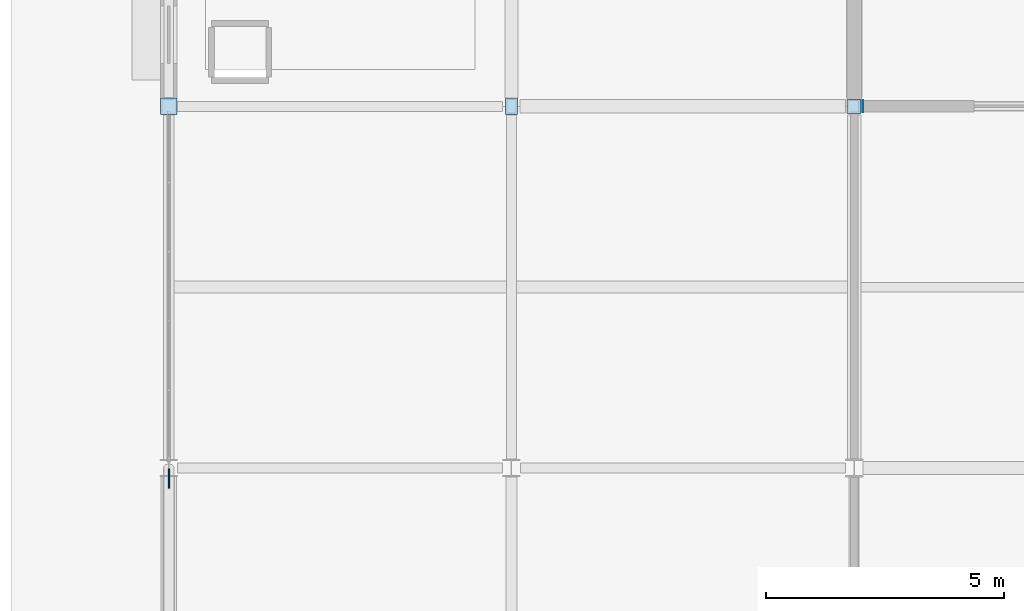
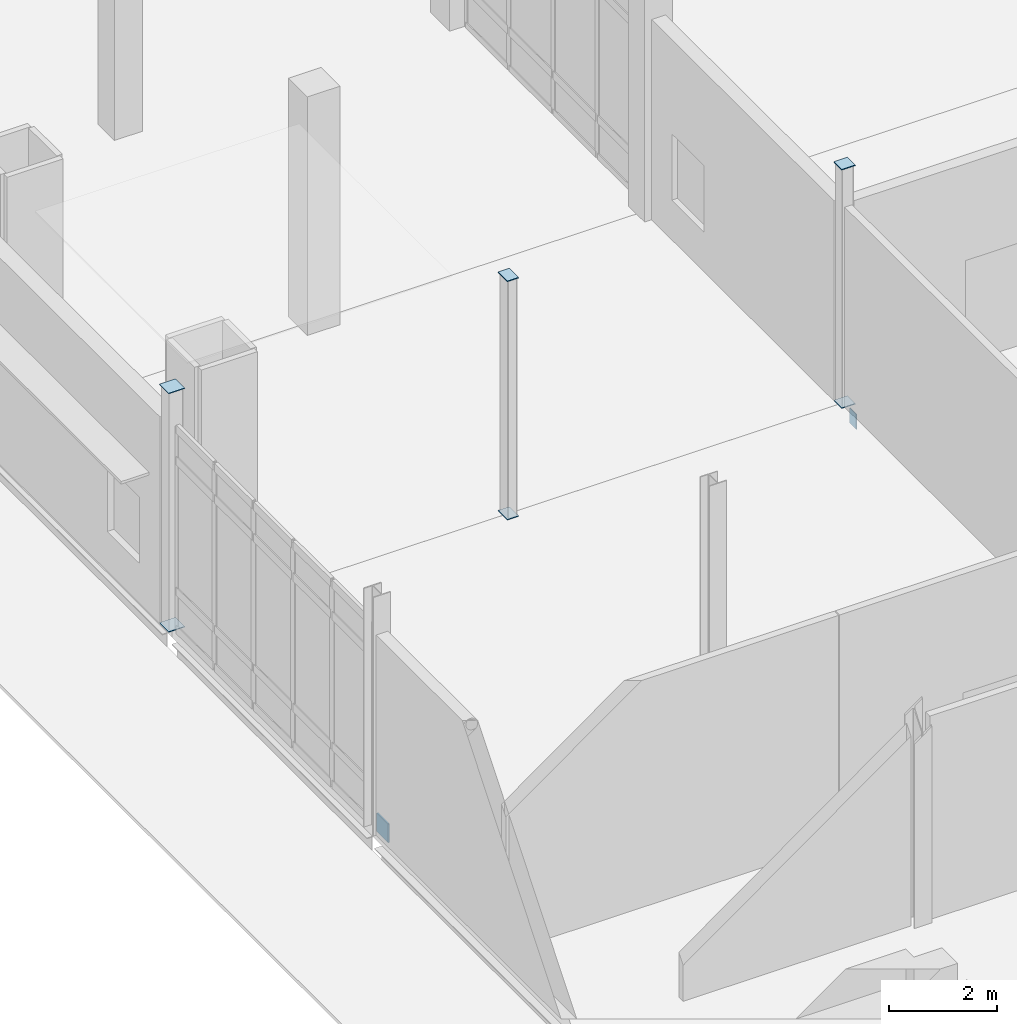
# One storey, part 171 of 229: 8 plates.
"""IFC4 building model written with IfcOpenShell, lengths in metres."""

from ifc_helpers import new_model, si_unit, direction, frame, origin, origin_2d, place, context, subcontext, project, spatial, rectangle, extrude, material, layer, layer_set, type_object, element, save


model = new_model("IFC4")

# Units and contexts
model_context = context("Model", 3, precision=1e-05, world=origin(), true_north=direction((0.0, 1.0)))
body_context = subcontext(model_context, "Body", "Model", "MODEL_VIEW")
ifc_project = project(units=[si_unit("LENGTHUNIT", "METRE"), si_unit("AREAUNIT", "SQUARE_METRE"), si_unit("VOLUMEUNIT", "CUBIC_METRE"), si_unit("PLANEANGLEUNIT", "RADIAN"), si_unit("MASSUNIT", "GRAM", prefix="KILO")], contexts=[model_context])

# Site, building, storey
site_placement = place(None, origin())
site = spatial("IfcSite", under=ifc_project, at=site_placement, CompositionType="ELEMENT")
building_placement = place(site_placement, origin())
building = spatial("IfcBuilding", under=site, at=building_placement, Name="Calvrana Isthmian Art Gallery", CompositionType="ELEMENT")
storey_placement = place(building_placement, origin())
storey = spatial("IfcBuildingStorey", under=building, at=storey_placement, Name="L00", CompositionType="ELEMENT", Elevation=0.0)

# Plates
ifc_material = material(Name="Steel ASTM A572 Gr 50", Category="steel")
ifc_layer_1 = layer(ifc_material, 0.01611328125, Name="Steel ASTM A572 Gr 50")
ifc_layer_set_1 = layer_set([ifc_layer_1], Name="Steel ASTM A572 Gr 50")
plate_type_1 = type_object("IfcPlateType", Name="PL-CAP-16", PredefinedType="SHEET", material=ifc_layer_set_1)
for number, where, z_axis, x_axis, name in (
    (1, (0.0, 69.60009765625, -0.008056640625), (0.0, 0.0, 1.0), (1.0, 0.0, 0.0), "Hollow section end cap plate 007"),
    (2, (0.0, 69.60009765625, 5.391845703125), (0.0, 0.0, 1.0), (1.0, 0.0, 0.0), "Hollow section end cap plate 008"),
):
    element("IfcPlate", number, at=place(storey_placement, frame(where, z_axis=z_axis, x_axis=x_axis)), inside=storey, type_object=plate_type_1, Name=name, PredefinedType="SHEET", context=body_context, shape_type="SweptSolid", body=[
        extrude(rectangle(XDim=0.3447265625, YDim=0.3447265625, at=origin_2d()), origin(), (0.0, 0.0, 1.0), 0.01611328125),
    ])
for number, where, z_axis, x_axis, name in (
    (3, (7.199951171875, 69.60009765625, -0.008056640625), (0.0, 0.0, 1.0), (1.0, 0.0, 0.0), "Hollow section end cap plate 015"),
    (4, (7.199951171875, 69.60009765625, 5.391845703125), (0.0, 0.0, 1.0), (1.0, 0.0, 0.0), "Hollow section end cap plate 016"),
):
    element("IfcPlate", number, at=place(storey_placement, frame(where, z_axis=z_axis, x_axis=x_axis)), inside=storey, type_object=plate_type_1, Name=name, PredefinedType="SHEET", context=body_context, shape_type="SweptSolid", body=[
        extrude(rectangle(XDim=0.2431640625, YDim=0.3447265625, at=origin_2d()), origin(), (0.0, 0.0, 1.0), 0.01611328125),
    ])
for number, where, z_axis, x_axis, name in (
    (5, (14.39990234375, 69.60009765625, -0.008056640625), (0.0, 0.0, 1.0), (1.0, 0.0, 0.0), "Hollow section end cap plate 023"),
    (6, (14.39990234375, 69.60009765625, 5.391845703125), (0.0, 0.0, 1.0), (1.0, 0.0, 0.0), "Hollow section end cap plate 024"),
):
    element("IfcPlate", number, at=place(storey_placement, frame(where, z_axis=z_axis, x_axis=x_axis)), inside=storey, type_object=plate_type_1, Name=name, PredefinedType="SHEET", context=body_context, shape_type="SweptSolid", body=[
        extrude(rectangle(XDim=0.2939453125, YDim=0.2939453125, at=origin_2d()), origin(), (0.0, 0.0, 1.0), 0.01611328125),
    ])
plate_1_placement = place(storey_placement, frame((14.58642578125, 69.60009765625, -0.60986328125), z_axis=(0.0, 0.0, 1.0), x_axis=(1.0, 0.0, 0.0)))
element("IfcPlate", 7, at=plate_1_placement, inside=storey, type_object=plate_type_1, Name="Hollow section end cap plate 395", PredefinedType="SHEET", context=body_context, shape_type="SweptSolid", body=[
    extrude(rectangle(XDim=0.01611328125, YDim=0.2431640625, at=origin_2d()), origin(), (0.0, 0.0, 1.0), 0.3447265625),
])
ifc_layer_2 = layer(ifc_material, 0.031982421875, Name="Steel ASTM A572 Gr 50")
ifc_layer_set_2 = layer_set([ifc_layer_2], Name="Steel ASTM A572 Gr 50")
plate_type_2 = type_object("IfcPlateType", Name="PL-GUSSET-32", PredefinedType="USERDEFINED", material=ifc_layer_set_2)
plate_2_placement = place(storey_placement, frame((0.0, 61.780029296875, -0.06005859375), z_axis=(0.0, 0.0, 1.0), x_axis=(1.0, 0.0, 0.0)))
element("IfcPlate", 8, at=plate_2_placement, inside=storey, type_object=plate_type_2, Name="Chevron brace gusset plate L00-17R", ObjectType="GUSSET PLATE", PredefinedType="USERDEFINED", context=body_context, shape_type="SweptSolid", body=[
    extrude(rectangle(XDim=0.031982421875, YDim=0.419921875, at=origin_2d()), origin(), (0.0, 0.0, 1.0), 0.419921875),
])

save(model, "model.ifc")
